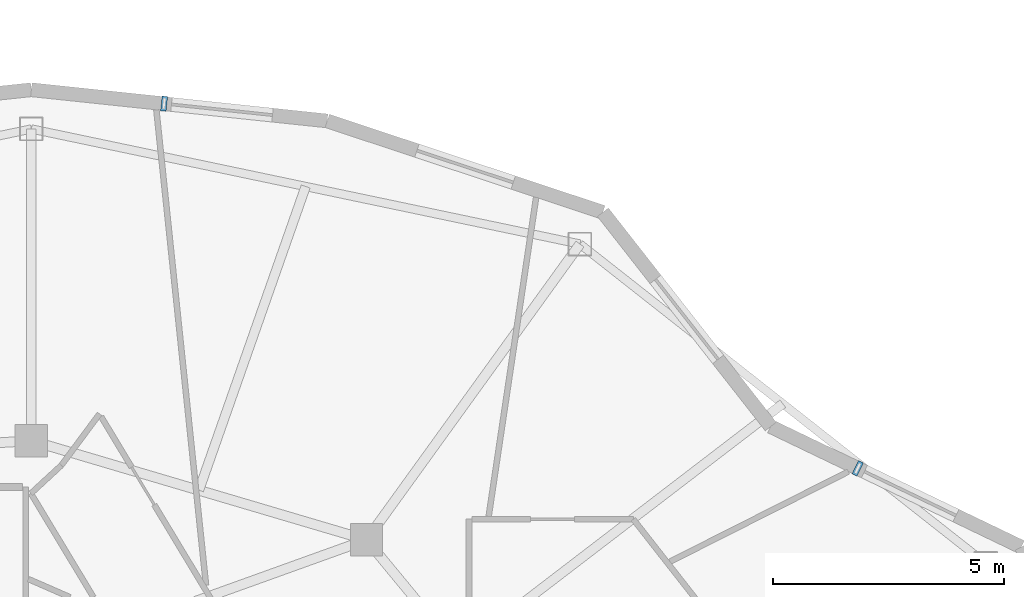
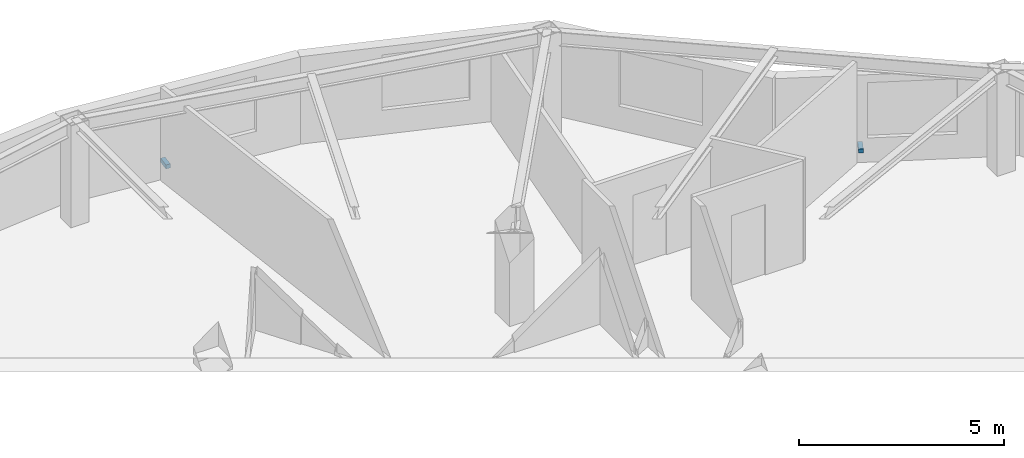
# One storey, part 12 of 18: 2 discrete accessories.
"""IFC4 building model written with IfcOpenShell, lengths in metres."""

from ifc_helpers import new_model, si_unit, direction, frame, origin, origin_2d, place, context, subcontext, project, spatial, rectangle, extrude, material, type_object, element, save


model = new_model("IFC4")

# Units and contexts
model_context = context("Model", 3, precision=1e-05, world=origin(), true_north=direction((0.0, 1.0)))
body_context = subcontext(model_context, "Body", "Model", "MODEL_VIEW")
ifc_project = project(units=[si_unit("LENGTHUNIT", "METRE"), si_unit("AREAUNIT", "SQUARE_METRE"), si_unit("VOLUMEUNIT", "CUBIC_METRE"), si_unit("PLANEANGLEUNIT", "RADIAN"), si_unit("MASSUNIT", "GRAM", prefix="KILO")], contexts=[model_context])

# Site, building, storey
site_placement = place(None, origin())
site = spatial("IfcSite", under=ifc_project, at=site_placement, CompositionType="ELEMENT")
building_placement = place(site_placement, origin())
building = spatial("IfcBuilding", under=site, at=building_placement, Name="Kolvaren Gate Tower and Convention Centre", CompositionType="ELEMENT")
storey_placement = place(building_placement, frame((0.0, 0.0, 229.39990234375)))
storey = spatial("IfcBuildingStorey", under=building, at=storey_placement, Name="L61", CompositionType="ELEMENT", Elevation=229.39990234375)

# Discrete accessories
ifc_material = material(Name="Anodized Architectural Aluminium Alloy 6063-T6", Category="aluminium")
discrete_accessory_type = type_object("IfcDiscreteAccessoryType", Name="ARCH-ACC-BRACKET-120", PredefinedType="BRACKET", material=ifc_material)
for number, where, z_axis, x_axis, name in (
    (1, (48.016357421875, 38.602294921875, 0.2900390625), (0.0, 0.0, 1.0), (0.90135914581, -0.433072384555, 0.0), "Ceramic Fin Wall Anchor Bracket FBK-L61-02"),
    (2, (32.9990234375, 46.497314453125, 0.2900390625), (0.0, 0.0, 1.0), (0.994498884311, -0.104747167526, 0.0), "Ceramic Fin Wall Anchor Bracket FBK-L61-05"),
):
    element("IfcDiscreteAccessory", number, at=place(storey_placement, frame(where, z_axis=z_axis, x_axis=x_axis)), inside=storey, type_object=discrete_accessory_type, Name=name, PredefinedType="BRACKET", context=body_context, shape_type="SweptSolid", body=[
        extrude(rectangle(XDim=0.1201171875, YDim=0.320068359375, at=origin_2d()), origin(), (0.0, 0.0, 1.0), 0.1201171875),
    ])

save(model, "model.ifc")
